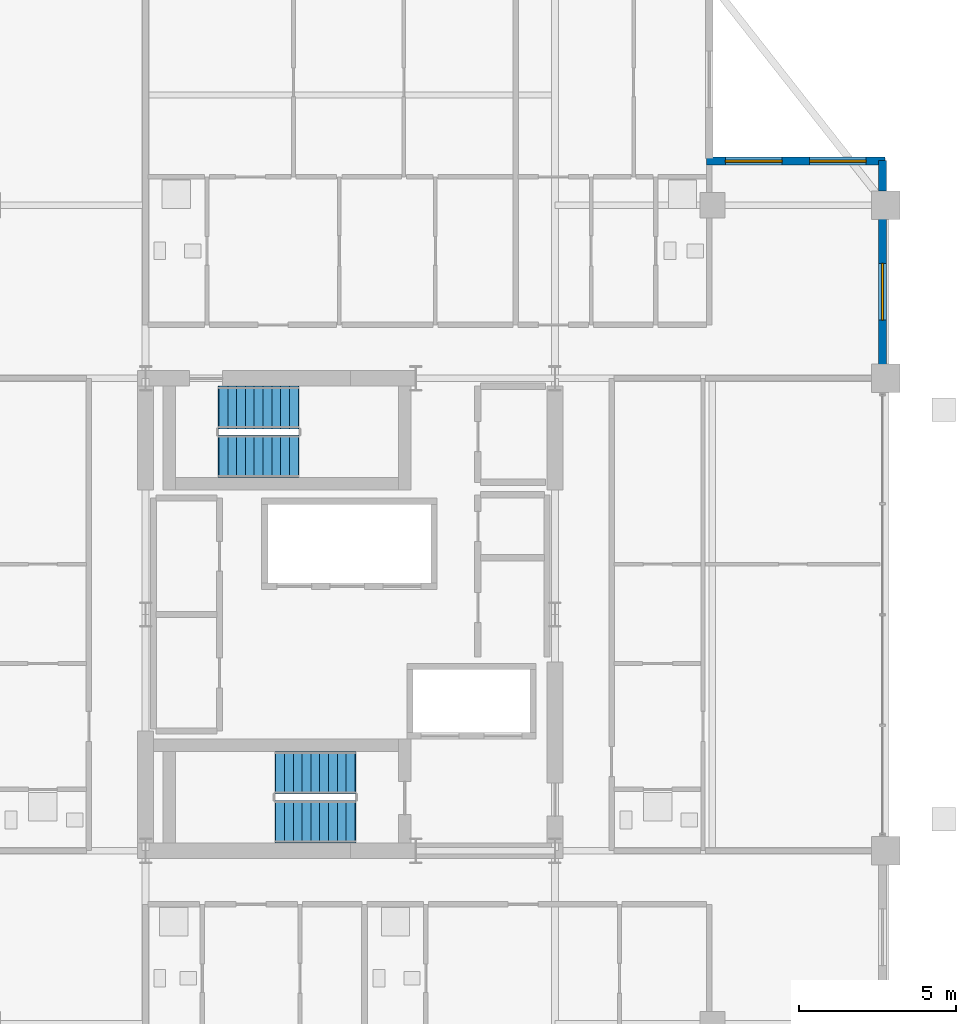
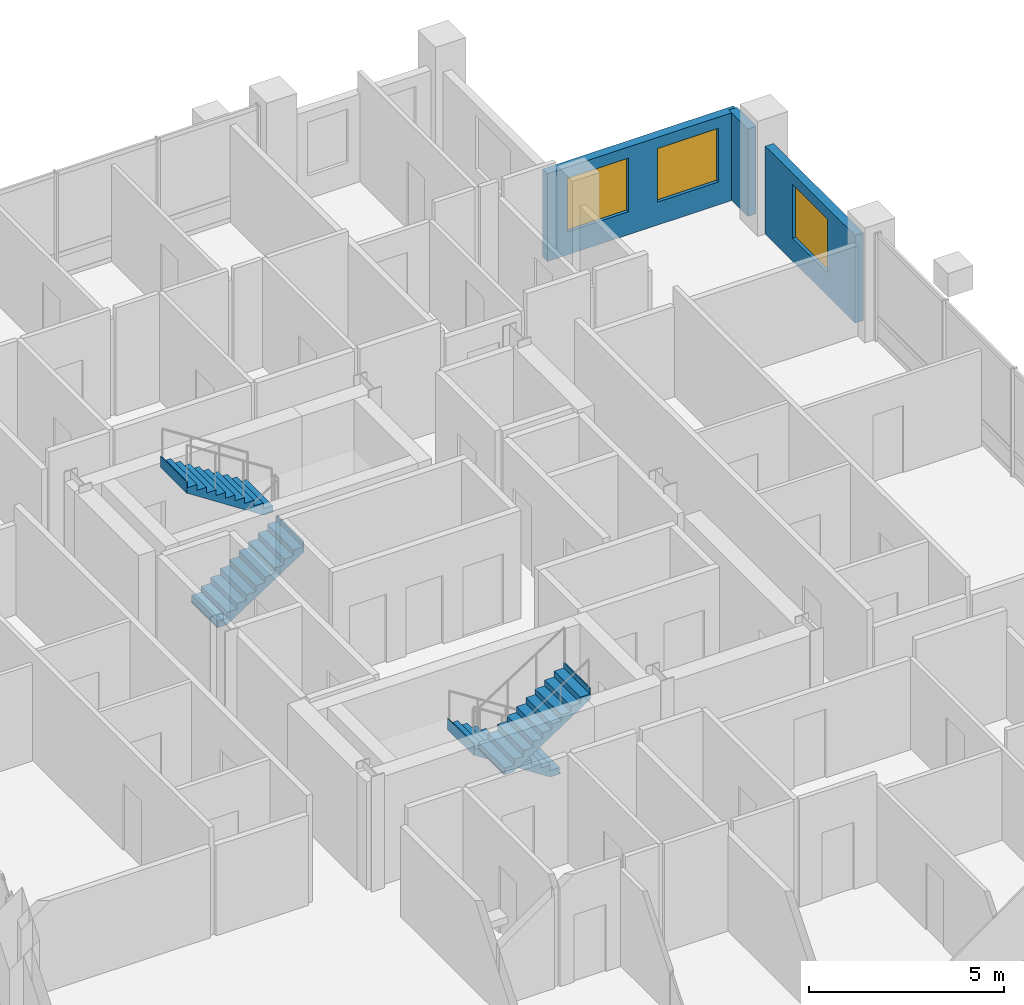
# One storey, part 20 of 22: 4 stair flights, 3 walls, 3 windows, 3 openings, 2 elements without a shape of their own.
"""IFC4 building model written with IfcOpenShell, lengths in metres."""

from ifc_helpers import new_model, si_unit, direction, frame, frame_2d, origin, place, context, subcontext, project, spatial, polyline, rectangle, outline, extrude, material, layer, layer_set, type_object, element, fill, aggregate, save


model = new_model("IFC4")

# Units and contexts
model_context = context("Model", 3, precision=1e-05, world=origin(), true_north=direction((0.0, 1.0)))
body_context = subcontext(model_context, "Body", "Model", "MODEL_VIEW")
ifc_project = project(units=[si_unit("LENGTHUNIT", "METRE"), si_unit("AREAUNIT", "SQUARE_METRE"), si_unit("VOLUMEUNIT", "CUBIC_METRE"), si_unit("PLANEANGLEUNIT", "RADIAN"), si_unit("MASSUNIT", "GRAM", prefix="KILO")], contexts=[model_context])

# Site, building, storey
site_placement = place(None, origin())
site = spatial("IfcSite", under=ifc_project, at=site_placement, CompositionType="ELEMENT")
building_placement = place(site_placement, origin())
building = spatial("IfcBuilding", under=site, at=building_placement, Name="Barlavira Tower and Art Museum", CompositionType="ELEMENT")
storey_placement = place(building_placement, frame((0.0, 0.0, 243.89990234375)))
storey = spatial("IfcBuildingStorey", under=building, at=storey_placement, Name="L63", CompositionType="ELEMENT", Elevation=243.89990234375)

# Wall, opening, window
ifc_material_1 = material(Name="Precast concrete C40", Category="concrete")
ifc_layer = layer(ifc_material_1, 0.25, Name="Precast concrete C40")
ifc_layer_set = layer_set([ifc_layer], Name="Precast concrete C40")
wall_type = type_object("IfcWallType", Name="Notched Corner Spandrel Wall 250 Precast Concrete C40", PredefinedType="SOLIDWALL", material=ifc_layer_set)
wall_1_placement = place(storey_placement, frame((16.89990234375, 7.945068359375, 0.0), z_axis=(0.0, 0.0, 1.0), x_axis=(0.0, 1.0, 0.0)))
wall_1 = element("IfcWall", 1, at=wall_1_placement, inside=storey, type_object=wall_type, Name="L63 Coastal Facade Pier Wall CW4-L63-E-4", PredefinedType="SOLIDWALL", context=body_context, shape_type="SweptSolid", body=[
    extrude(rectangle(XDim=4.60986328125, YDim=0.25, at=frame_2d((2.304931640625, 0.0))), origin(), (0.0, 0.0, 1.0), 2.748046875),
])
opening_1_placement = place(wall_1_placement, frame((1.405029296875, 0.0, 0.719970703125)))
opening_1 = element("IfcOpeningElement", 2, at=opening_1_placement, cuts=wall_1, Name="Opening WN-01", PredefinedType="OPENING", context=body_context, shape_type="SweptSolid", body=[
    extrude(rectangle(XDim=1.800048828125, YDim=1.679931640625, at=frame_2d((0.89990234375, 0.83984375))), frame((0.0, 0.135009765625, 0.0), z_axis=(0.0, -1.0, 0.0), x_axis=(1.0, 0.0, 0.0)), (0.0, 0.0, 1.0), 0.27001953125),
])
ifc_material_2 = material(Name="Low-iron coastal laminated glass", Category="glass")
window_type = type_object("IfcWindowType", Name="Recessed Notch Corner Punch Window 1800x1680", PartitioningType="SINGLE_PANEL", PredefinedType="WINDOW", material=ifc_material_2)
window_1_placement = place(opening_1_placement, origin())
window_1 = element("IfcWindow", 3, at=window_1_placement, inside=storey, type_object=window_type, Name="L63 Punched Facade Window EWP-CW4-L63-E-4-1", OverallHeight=1.679931640625, OverallWidth=1.800048828125, PartitioningType="SINGLE_PANEL", PredefinedType="WINDOW", context=body_context, shape_type="SweptSolid", body=[
    extrude(rectangle(XDim=1.800048828125, YDim=1.679931640625, at=frame_2d((0.89990234375, 0.83984375))), frame((0.0, 0.030029296875, 0.0), z_axis=(0.0, -1.0, 0.0), x_axis=(1.0, 0.0, 0.0)), (0.0, 0.0, 1.0), 0.06005859375),
])
fill(opening_1, window_1)

# Wall
wall_2_placement = place(storey_placement, frame((16.89990234375, 13.445068359375, 0.0), z_axis=(0.0, 0.0, 1.0), x_axis=(0.0, 1.0, 0.0)))
element("IfcWall", 4, at=wall_2_placement, inside=storey, type_object=wall_type, Name="L63 Coastal Facade Pier Wall CW4-L63-E-5", PredefinedType="SOLIDWALL", context=body_context, shape_type="SweptSolid", body=[
    extrude(rectangle(XDim=0.97998046875, YDim=0.25, at=frame_2d((0.489990234375, 0.0))), origin(), (0.0, 0.0, 1.0), 2.748046875),
])

# Wall, openings, windows
wall_3_placement = place(storey_placement, frame((16.97998046875, 14.39990234375, 0.0), z_axis=(0.0, 0.0, 1.0), x_axis=(-1.0, 0.0, 0.0)))
wall_3 = element("IfcWall", 5, at=wall_3_placement, inside=storey, type_object=wall_type, Name="L63 Notch Corner Wall NE1", PredefinedType="SOLIDWALL", context=body_context, shape_type="SweptSolid", body=[
    extrude(rectangle(XDim=5.659912109375, YDim=0.25, at=frame_2d((2.830078125, 0.0))), origin(), (0.0, 0.0, 1.0), 2.748046875),
])
opening_2_placement = place(wall_3_placement, frame((0.594970703125, 0.0, 0.719970703125)))
opening_2 = element("IfcOpeningElement", 6, at=opening_2_placement, cuts=wall_3, Name="Opening WN-01", PredefinedType="OPENING", context=body_context, shape_type="SweptSolid", body=[
    extrude(rectangle(XDim=1.800048828125, YDim=1.679931640625, at=frame_2d((0.89990234375, 0.83984375))), frame((0.0, 0.135009765625, 0.0), z_axis=(0.0, -1.0, 0.0), x_axis=(1.0, 0.0, 0.0)), (0.0, 0.0, 1.0), 0.27001953125),
])
opening_3_placement = place(wall_3_placement, frame((3.264892578125, 0.0, 0.719970703125)))
opening_3 = element("IfcOpeningElement", 7, at=opening_3_placement, cuts=wall_3, Name="Opening WN-01", PredefinedType="OPENING", context=body_context, shape_type="SweptSolid", body=[
    extrude(rectangle(XDim=1.800048828125, YDim=1.679931640625, at=frame_2d((0.89990234375, 0.83984375))), frame((0.0, 0.135009765625, 0.0), z_axis=(0.0, -1.0, 0.0), x_axis=(1.0, 0.0, 0.0)), (0.0, 0.0, 1.0), 0.27001953125),
])
window_2_placement = place(opening_2_placement, origin())
window_2 = element("IfcWindow", 8, at=window_2_placement, inside=storey, type_object=window_type, Name="L63 Punched Facade Window EW-NTC-L63-NE1-1", OverallHeight=1.679931640625, OverallWidth=1.800048828125, PartitioningType="SINGLE_PANEL", PredefinedType="WINDOW", context=body_context, shape_type="SweptSolid", body=[
    extrude(rectangle(XDim=1.800048828125, YDim=1.679931640625, at=frame_2d((0.89990234375, 0.83984375))), frame((0.0, 0.030029296875, 0.0), z_axis=(0.0, -1.0, 0.0), x_axis=(1.0, 0.0, 0.0)), (0.0, 0.0, 1.0), 0.06005859375),
])
fill(opening_2, window_2)
window_3_placement = place(opening_3_placement, origin())
window_3 = element("IfcWindow", 9, at=window_3_placement, inside=storey, type_object=window_type, Name="L63 Punched Facade Window EW-NTC-L63-NE1-2", OverallHeight=1.679931640625, OverallWidth=1.800048828125, PartitioningType="SINGLE_PANEL", PredefinedType="WINDOW", context=body_context, shape_type="SweptSolid", body=[
    extrude(rectangle(XDim=1.800048828125, YDim=1.679931640625, at=frame_2d((0.89990234375, 0.83984375))), frame((0.0, 0.030029296875, 0.0), z_axis=(0.0, -1.0, 0.0), x_axis=(1.0, 0.0, 0.0)), (0.0, 0.0, 1.0), 0.06005859375),
])
fill(opening_3, window_3)

# Stair, stair flights
ifc_material_3 = material(Name="Concrete C45", Category="concrete")
stair_type_1 = type_object("IfcStairType", Name="Tower North Dog-Leg Exit Stair Assembly Concrete C45", PredefinedType="TWO_QUARTER_TURN_STAIR", material=ifc_material_3)
stair_1_placement = place(storey_placement, origin())
stair_1 = element("IfcStair", 10, at=stair_1_placement, inside=storey, type_object=stair_type_1, Name="L63 Tower North Exit Stair ST-T2", PredefinedType="TWO_QUARTER_TURN_STAIR")
ifc_material_4 = material(Name="Precast concrete C45", Category="concrete")
stair_flight_type_1 = type_object("IfcStairFlightType", Name="Tower North Dog-Leg Exit Stair Precast Flight 1350 Concrete C45", PredefinedType="STRAIGHT", material=ifc_material_4)
stair_flight_1_placement = place(storey_placement, frame((-4.169921875, 5.02490234375, 0.0), z_axis=(0.0, 0.0, 1.0), x_axis=(1.0, 0.0, 0.0)))
stair_flight_1 = element("IfcStairFlight", 11, at=stair_flight_1_placement, type_object=stair_flight_type_1, Name="ST-T2 flight 1", NumberOfRisers=10, NumberOfTreads=9, PredefinedType="STRAIGHT", RiserHeight=0.18, TreadLength=0.28, context=body_context, shape_type="SweptSolid", body=[
    extrude(outline(polyline([(-0.02490234375, 0.0), (0.0, 0.0), (0.0, 0.179931640625), (0.280029296875, 0.179931640625), (0.280029296875, 0.360107421875), (0.56005859375, 0.360107421875), (0.56005859375, 0.5400390625), (0.840087890625, 0.5400390625), (0.840087890625, 0.719970703125), (1.1201171875, 0.719970703125), (1.1201171875, 0.89990234375), (1.39990234375, 0.89990234375), (1.39990234375, 1.080078125), (1.679931640625, 1.080078125), (1.679931640625, 1.260009765625), (1.9599609375, 1.260009765625), (1.9599609375, 1.43994140625), (2.239990234375, 1.43994140625), (2.239990234375, 1.6201171875), (2.52001953125, 1.6201171875), (2.52001953125, 1.800048828125), (2.544921875, 1.800048828125), (2.544921875, 1.44189453125), (2.52001953125, 1.44189453125), (0.277099609375, -0.02490234375), (-0.02490234375, -0.02490234375), (-0.02490234375, 0.0)])), frame((0.0, 0.675048828125, 0.0), z_axis=(0.0, -1.0, 0.0), x_axis=(1.0, 0.0, 0.0)), (0.0, 0.0, 1.0), 1.35009765625),
])
stair_flight_2_placement = place(storey_placement, frame((-1.64990234375, 6.574951171875, 1.800048828125), z_axis=(0.0, 0.0, 1.0), x_axis=(-1.0, 0.0, 0.0)))
stair_flight_2 = element("IfcStairFlight", 12, at=stair_flight_2_placement, type_object=stair_flight_type_1, Name="ST-T2 flight 2", NumberOfRisers=10, NumberOfTreads=9, PredefinedType="STRAIGHT", RiserHeight=0.18, TreadLength=0.28, context=body_context, shape_type="SweptSolid", body=[
    extrude(outline(polyline([(-0.02490234375, 0.0), (0.0, 0.0), (0.0, 0.179931640625), (0.280029296875, 0.179931640625), (0.280029296875, 0.360107421875), (0.56005859375, 0.360107421875), (0.56005859375, 0.5400390625), (0.840087890625, 0.5400390625), (0.840087890625, 0.719970703125), (1.1201171875, 0.719970703125), (1.1201171875, 0.89990234375), (1.39990234375, 0.89990234375), (1.39990234375, 1.080078125), (1.679931640625, 1.080078125), (1.679931640625, 1.260009765625), (1.9599609375, 1.260009765625), (1.9599609375, 1.43994140625), (2.239990234375, 1.43994140625), (2.239990234375, 1.6201171875), (2.52001953125, 1.6201171875), (2.52001953125, 1.800048828125), (2.544921875, 1.800048828125), (2.544921875, 1.44189453125), (2.52001953125, 1.44189453125), (0.277099609375, -0.02490234375), (-0.02490234375, -0.02490234375), (-0.02490234375, 0.0)])), frame((0.0, 0.675048828125, 0.0), z_axis=(0.0, -1.0, 0.0), x_axis=(1.0, 0.0, 0.0)), (0.0, 0.0, 1.0), 1.35009765625),
])
aggregate(stair_1, [stair_flight_1, stair_flight_2])

stair_type_2 = type_object("IfcStairType", Name="Tower South Dog-Leg Exit Stair Assembly Concrete C45", PredefinedType="TWO_QUARTER_TURN_STAIR", material=ifc_material_3)
stair_2_placement = place(storey_placement, origin())
stair_2 = element("IfcStair", 13, at=stair_2_placement, inside=storey, type_object=stair_type_2, Name="L63 Tower South Exit Stair ST-T1", PredefinedType="TWO_QUARTER_TURN_STAIR")
stair_flight_type_2 = type_object("IfcStairFlightType", Name="Tower South Dog-Leg Exit Stair Precast Flight 1350 Concrete C45", PredefinedType="STRAIGHT", material=ifc_material_4)
stair_flight_3_placement = place(storey_placement, frame((0.14990234375, -5.02490234375, 0.0), z_axis=(0.0, 0.0, 1.0), x_axis=(-1.0, 0.0, 0.0)))
stair_flight_3 = element("IfcStairFlight", 14, at=stair_flight_3_placement, type_object=stair_flight_type_2, Name="ST-T1 flight 1", NumberOfRisers=10, NumberOfTreads=9, PredefinedType="STRAIGHT", RiserHeight=0.18, TreadLength=0.28, context=body_context, shape_type="SweptSolid", body=[
    extrude(outline(polyline([(-0.02490234375, 0.0), (0.0, 0.0), (0.0, 0.179931640625), (0.280029296875, 0.179931640625), (0.280029296875, 0.360107421875), (0.56005859375, 0.360107421875), (0.56005859375, 0.5400390625), (0.840087890625, 0.5400390625), (0.840087890625, 0.719970703125), (1.1201171875, 0.719970703125), (1.1201171875, 0.89990234375), (1.39990234375, 0.89990234375), (1.39990234375, 1.080078125), (1.679931640625, 1.080078125), (1.679931640625, 1.260009765625), (1.9599609375, 1.260009765625), (1.9599609375, 1.43994140625), (2.239990234375, 1.43994140625), (2.239990234375, 1.6201171875), (2.52001953125, 1.6201171875), (2.52001953125, 1.800048828125), (2.544921875, 1.800048828125), (2.544921875, 1.44189453125), (2.52001953125, 1.44189453125), (0.277099609375, -0.02490234375), (-0.02490234375, -0.02490234375), (-0.02490234375, 0.0)])), frame((0.0, 0.675048828125, 0.0), z_axis=(0.0, -1.0, 0.0), x_axis=(1.0, 0.0, 0.0)), (0.0, 0.0, 1.0), 1.35009765625),
])
stair_flight_4_placement = place(storey_placement, frame((-2.3701171875, -6.574951171875, 1.800048828125), z_axis=(0.0, 0.0, 1.0), x_axis=(1.0, 0.0, 0.0)))
stair_flight_4 = element("IfcStairFlight", 15, at=stair_flight_4_placement, type_object=stair_flight_type_2, Name="ST-T1 flight 2", NumberOfRisers=10, NumberOfTreads=9, PredefinedType="STRAIGHT", RiserHeight=0.18, TreadLength=0.28, context=body_context, shape_type="SweptSolid", body=[
    extrude(outline(polyline([(-0.02490234375, 0.0), (0.0, 0.0), (0.0, 0.179931640625), (0.280029296875, 0.179931640625), (0.280029296875, 0.360107421875), (0.56005859375, 0.360107421875), (0.56005859375, 0.5400390625), (0.840087890625, 0.5400390625), (0.840087890625, 0.719970703125), (1.1201171875, 0.719970703125), (1.1201171875, 0.89990234375), (1.39990234375, 0.89990234375), (1.39990234375, 1.080078125), (1.679931640625, 1.080078125), (1.679931640625, 1.260009765625), (1.9599609375, 1.260009765625), (1.9599609375, 1.43994140625), (2.239990234375, 1.43994140625), (2.239990234375, 1.6201171875), (2.52001953125, 1.6201171875), (2.52001953125, 1.800048828125), (2.544921875, 1.800048828125), (2.544921875, 1.44189453125), (2.52001953125, 1.44189453125), (0.277099609375, -0.02490234375), (-0.02490234375, -0.02490234375), (-0.02490234375, 0.0)])), frame((0.0, 0.675048828125, 0.0), z_axis=(0.0, -1.0, 0.0), x_axis=(1.0, 0.0, 0.0)), (0.0, 0.0, 1.0), 1.35009765625),
])
aggregate(stair_2, [stair_flight_3, stair_flight_4])

save(model, "model.ifc")
